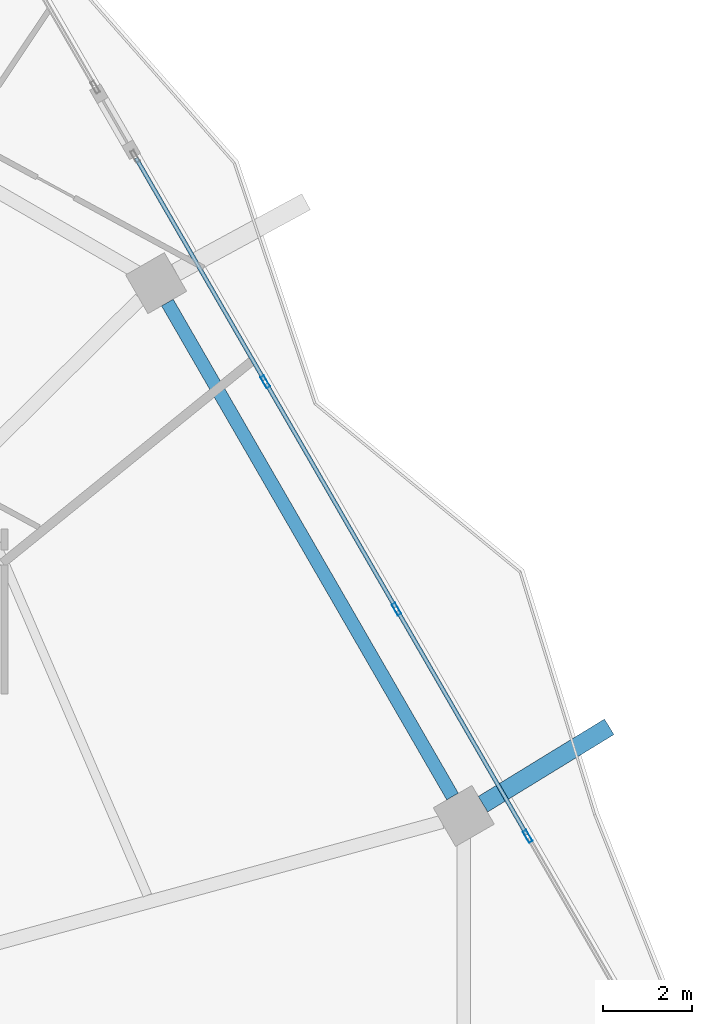
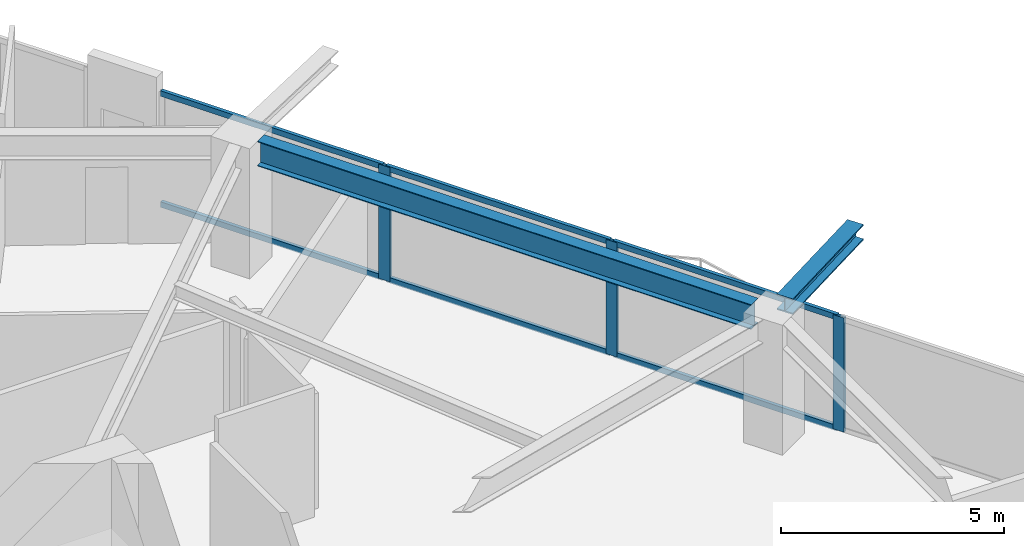
# One storey, part 14 of 25: 9 members, 2 beams, 1 element without a shape of its own.
"""IFC4 building model written with IfcOpenShell, lengths in metres."""

from ifc_helpers import new_model, si_unit, direction, frame, origin, origin_2d, place, context, subcontext, project, spatial, hollow_rectangle, i_section, extrude, material, material_profile, profile_set, type_object, element, aggregate, save


model = new_model("IFC4")

# Units and contexts
model_context = context("Model", 3, precision=1e-05, world=origin(), true_north=direction((0.0, 1.0)))
body_context = subcontext(model_context, "Body", "Model", "MODEL_VIEW")
ifc_project = project(units=[si_unit("LENGTHUNIT", "METRE"), si_unit("AREAUNIT", "SQUARE_METRE"), si_unit("VOLUMEUNIT", "CUBIC_METRE"), si_unit("PLANEANGLEUNIT", "RADIAN"), si_unit("MASSUNIT", "GRAM", prefix="KILO")], contexts=[model_context])

# Site, building, storey
site_placement = place(None, origin())
site = spatial("IfcSite", under=ifc_project, at=site_placement, CompositionType="ELEMENT")
building_placement = place(site_placement, origin())
building = spatial("IfcBuilding", under=site, at=building_placement, Name="Zuhravey Tower", CompositionType="ELEMENT")
storey_placement = place(building_placement, frame((0.0, 0.0, 180.800048828125)))
storey = spatial("IfcBuildingStorey", under=building, at=storey_placement, Name="L45", CompositionType="ELEMENT", Elevation=180.800048828125)

# Curtain wall, members
ifc_material_1 = material(Name="Thermally broken anodised aluminium", Category="aluminium")
curtain_wall_type = type_object("IfcCurtainWallType", Name="Zone 1-2 Residential Curtain Wall CW3", PredefinedType="NOTDEFINED", material=ifc_material_1)
curtain_wall_placement = place(storey_placement, origin())
curtain_wall = element("IfcCurtainWall", 1, at=curtain_wall_placement, inside=storey, type_object=curtain_wall_type, Name="L45 CW3 CW-L45-F1-2", PredefinedType="NOTDEFINED")
ifc_material_2 = material(Name="Anodised aluminium", Category="aluminium")
ifc_material_profile_1 = material_profile(ifc_material_2, hollow_rectangle(XDim=0.090087890625, YDim=0.284912109375, WallThickness=0.0048828125, at=origin_2d()), Name="ALU-RHS-90x285x5")
ifc_profile_set_1 = profile_set([ifc_material_profile_1], Name="Anodised aluminium")
member_type_1 = type_object("IfcMemberType", Name="Curtain-Wall Mullion 90x180", PredefinedType="MULLION", material=ifc_profile_set_1)
member_1_placement = place(storey_placement, frame((57.6669921875, 48.837890625, 0.0), z_axis=(0.0, 0.0, 1.0), x_axis=(0.866024798294, 0.500001048738, 0.0)))
member_1 = element("IfcMember", 2, at=member_1_placement, type_object=member_type_1, Name="CW3 mullion 2", PredefinedType="MULLION", context=body_context, shape_type="SweptSolid", body=[
    extrude(hollow_rectangle(XDim=0.090087890625, YDim=0.284912109375, WallThickness=0.0048828125, at=origin_2d()), origin(), (0.0, 0.0, 1.0), 3.1220703125),
])
member_2_placement = place(storey_placement, frame((60.60205078125, 43.75439453125, 0.0), z_axis=(0.0, 0.0, 1.0), x_axis=(0.866024798294, 0.500001048738, 0.0)))
member_2 = element("IfcMember", 3, at=member_2_placement, type_object=member_type_1, Name="CW3 mullion 3", PredefinedType="MULLION", context=body_context, shape_type="SweptSolid", body=[
    extrude(hollow_rectangle(XDim=0.090087890625, YDim=0.284912109375, WallThickness=0.0048828125, at=origin_2d()), origin(), (0.0, 0.0, 1.0), 3.1220703125),
])
member_3_placement = place(storey_placement, frame((63.536865234375, 38.6708984375, 0.0), z_axis=(0.0, 0.0, 1.0), x_axis=(0.866024798294, 0.500001048738, 0.0)))
member_3 = element("IfcMember", 4, at=member_3_placement, type_object=member_type_1, Name="CW3 mullion 4", PredefinedType="MULLION", context=body_context, shape_type="SweptSolid", body=[
    extrude(hollow_rectangle(XDim=0.090087890625, YDim=0.284912109375, WallThickness=0.0048828125, at=origin_2d()), origin(), (0.0, 0.0, 1.0), 3.1220703125),
])
ifc_material_profile_2 = material_profile(ifc_material_2, hollow_rectangle(XDim=0.090087890625, YDim=0.14990234375, WallThickness=0.0048828125, at=origin_2d()), Name="ALU-RHS-90x150x5")
ifc_profile_set_2 = profile_set([ifc_material_profile_2], Name="Anodised aluminium")
member_type_2 = type_object("IfcMemberType", Name="Curtain-Wall Transom 90x150", PredefinedType="USERDEFINED", material=ifc_profile_set_2)
member_4_placement = place(storey_placement, frame((54.777099609375, 53.84326171875, 0.044921875), z_axis=(0.499998833779, -0.866026077102, 0.0), x_axis=(0.866026077102, 0.499998833779, 0.0)))
member_4 = element("IfcMember", 5, at=member_4_placement, type_object=member_type_2, Name="CW3 transom 1.1", ObjectType="TRANSOM", PredefinedType="USERDEFINED", context=body_context, shape_type="SweptSolid", body=[
    extrude(hollow_rectangle(XDim=0.090087890625, YDim=0.14990234375, WallThickness=0.0048828125, at=origin_2d()), origin(), (0.0, 0.0, 1.0), 5.73486328125),
])
member_5_placement = place(storey_placement, frame((54.777099609375, 53.84326171875, 3.076904296875), z_axis=(0.499998833779, -0.866026077102, 0.0), x_axis=(0.866026077102, 0.499998833779, 0.0)))
member_5 = element("IfcMember", 6, at=member_5_placement, type_object=member_type_2, Name="CW3 transom 1.2", ObjectType="TRANSOM", PredefinedType="USERDEFINED", context=body_context, shape_type="SweptSolid", body=[
    extrude(hollow_rectangle(XDim=0.090087890625, YDim=0.14990234375, WallThickness=0.0048828125, at=origin_2d()), origin(), (0.0, 0.0, 1.0), 5.73486328125),
])
member_6_placement = place(storey_placement, frame((57.689453125, 48.798828125, 0.044921875), z_axis=(0.499986929959, -0.866032949645, 0.0), x_axis=(0.866032949645, 0.499986929959, 0.0)))
member_6 = element("IfcMember", 7, at=member_6_placement, type_object=member_type_2, Name="CW3 transom 2.1", ObjectType="TRANSOM", PredefinedType="USERDEFINED", context=body_context, shape_type="SweptSolid", body=[
    extrude(hollow_rectangle(XDim=0.090087890625, YDim=0.14990234375, WallThickness=0.0048828125, at=origin_2d()), origin(), (0.0, 0.0, 1.0), 5.780029296875),
])
member_7_placement = place(storey_placement, frame((57.689453125, 48.798828125, 3.076904296875), z_axis=(0.499986929959, -0.866032949645, 0.0), x_axis=(0.866032949645, 0.499986929959, 0.0)))
member_7 = element("IfcMember", 8, at=member_7_placement, type_object=member_type_2, Name="CW3 transom 2.2", ObjectType="TRANSOM", PredefinedType="USERDEFINED", context=body_context, shape_type="SweptSolid", body=[
    extrude(hollow_rectangle(XDim=0.090087890625, YDim=0.14990234375, WallThickness=0.0048828125, at=origin_2d()), origin(), (0.0, 0.0, 1.0), 5.780029296875),
])
member_8_placement = place(storey_placement, frame((60.62451171875, 43.71533203125, 0.044921875), z_axis=(0.500005220363, -0.866022389785, 0.0), x_axis=(0.866022389785, 0.500005220363, 0.0)))
member_8 = element("IfcMember", 9, at=member_8_placement, type_object=member_type_2, Name="CW3 transom 3.1", ObjectType="TRANSOM", PredefinedType="USERDEFINED", context=body_context, shape_type="SweptSolid", body=[
    extrude(hollow_rectangle(XDim=0.090087890625, YDim=0.14990234375, WallThickness=0.0048828125, at=origin_2d()), origin(), (0.0, 0.0, 1.0), 5.77978515625),
])
member_9_placement = place(storey_placement, frame((60.62451171875, 43.71533203125, 3.076904296875), z_axis=(0.500005220363, -0.866022389785, 0.0), x_axis=(0.866022389785, 0.500005220363, 0.0)))
member_9 = element("IfcMember", 10, at=member_9_placement, type_object=member_type_2, Name="CW3 transom 3.2", ObjectType="TRANSOM", PredefinedType="USERDEFINED", context=body_context, shape_type="SweptSolid", body=[
    extrude(hollow_rectangle(XDim=0.090087890625, YDim=0.14990234375, WallThickness=0.0048828125, at=origin_2d()), origin(), (0.0, 0.0, 1.0), 5.77978515625),
])
aggregate(curtain_wall, [member_1, member_2, member_3, member_4, member_5, member_6, member_7, member_8, member_9])

# Beams
ifc_material_3 = material(Name="Steel SM460", Category="steel")
ifc_material_profile_3 = material_profile(ifc_material_3, i_section(OverallWidth=0.406982421875, OverallDepth=0.427978515625, WebThickness=0.02001953125, FlangeThickness=0.034912109375, at=origin_2d()), Name="H-428x407x20x35")
ifc_profile_set_3 = profile_set([ifc_material_profile_3], Name="Steel SM460")
beam_type_1 = type_object("IfcBeamType", Name="Exoskeleton Node Tie Beam H428x407", PredefinedType="BEAM", material=ifc_profile_set_3)
beam_1_placement = place(storey_placement, frame((62.537353515625, 39.39013671875, 3.3359375), z_axis=(0.852530266577, 0.522677859269, 0.0), x_axis=(-0.522677859269, 0.852530266577, 0.0)))
element("IfcBeam", 11, at=beam_1_placement, inside=storey, type_object=beam_type_1, Name="L45 Exoskeleton Node Tie NT1-01", PredefinedType="BEAM", context=body_context, shape_type="SweptSolid", body=[
    extrude(i_section(OverallWidth=0.406982421875, OverallDepth=0.427978515625, WebThickness=0.02001953125, FlangeThickness=0.034912109375, at=origin_2d()), origin(), (0.0, 0.0, 1.0), 3.312255859375),
])
ifc_material_4 = material(Name="Steel SM355", Category="steel")
ifc_material_profile_4 = material_profile(ifc_material_4, i_section(OverallWidth=0.300048828125, OverallDepth=0.679931640625, WebThickness=0.012939453125, FlangeThickness=0.02197265625, at=origin_2d()), Name="H-680x300x13x22")
ifc_profile_set_4 = profile_set([ifc_material_profile_4], Name="Steel SM355")
beam_type_2 = type_object("IfcBeamType", Name="Perimeter Ring Beam H680x300", PredefinedType="BEAM", material=ifc_profile_set_4)
beam_2_placement = place(storey_placement, frame((61.856201171875, 39.56201171875, 3.2099609375), z_axis=(-0.499997974489, 0.866026573211, 0.0), x_axis=(-0.866026573211, -0.499997974489, 0.0)))
element("IfcBeam", 12, at=beam_2_placement, inside=storey, type_object=beam_type_2, Name="L45 PB2 BM-L45-PB-01", PredefinedType="BEAM", context=body_context, shape_type="SweptSolid", body=[
    extrude(i_section(OverallWidth=0.300048828125, OverallDepth=0.679931640625, WebThickness=0.012939453125, FlangeThickness=0.02197265625, at=origin_2d()), origin(), (0.0, 0.0, 1.0), 12.75830078125),
])

save(model, "model.ifc")
